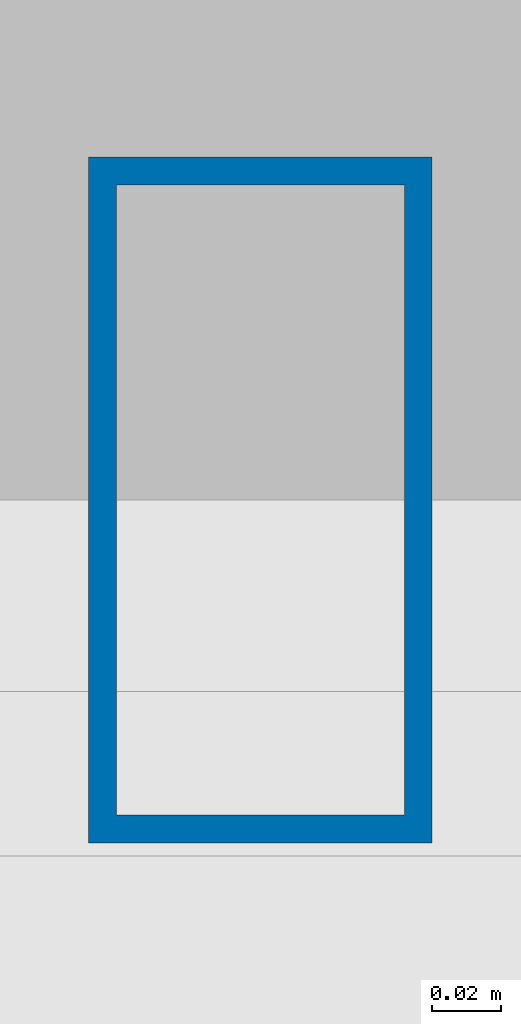
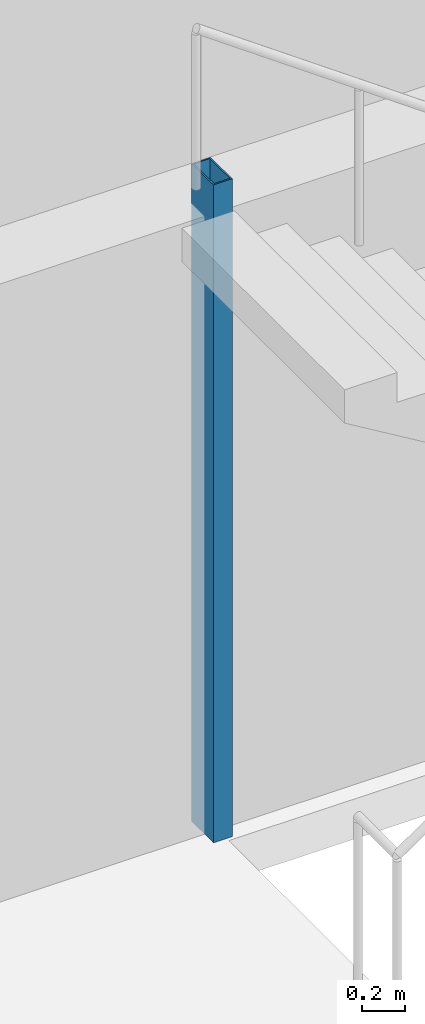
# One storey, part 2 of 17: 1 column.
"""IFC4 building model written with IfcOpenShell, lengths in metres."""

from ifc_helpers import new_model, si_unit, direction, frame, origin, origin_2d, place, context, subcontext, project, spatial, hollow_rectangle, extrude, material, material_profile, profile_set, type_object, element, save


model = new_model("IFC4")

# Units and contexts
model_context = context("Model", 3, precision=1e-05, world=origin(), true_north=direction((0.0, 1.0)))
body_context = subcontext(model_context, "Body", "Model", "MODEL_VIEW")
ifc_project = project(units=[si_unit("LENGTHUNIT", "METRE"), si_unit("AREAUNIT", "SQUARE_METRE"), si_unit("VOLUMEUNIT", "CUBIC_METRE"), si_unit("PLANEANGLEUNIT", "RADIAN"), si_unit("MASSUNIT", "GRAM", prefix="KILO")], contexts=[model_context])

# Site, building, storey
site_placement = place(None, origin())
site = spatial("IfcSite", under=ifc_project, at=site_placement, CompositionType="ELEMENT")
building_placement = place(site_placement, origin())
building = spatial("IfcBuilding", under=site, at=building_placement, Name="Menara Jurai Vektor", CompositionType="ELEMENT")
storey_placement = place(building_placement, frame((0.0, 0.0, 87.39990234375)))
storey = spatial("IfcBuildingStorey", under=building, at=storey_placement, Name="L21", CompositionType="ELEMENT", Elevation=87.39990234375)

# Column
ifc_material = material(Name="Steel S355", Category="steel")
ifc_material_profile = material_profile(ifc_material, hollow_rectangle(XDim=0.10009765625, YDim=0.199951171875, WallThickness=0.008056640625, at=origin_2d()), Name="RHS 200x100x8")
ifc_profile_set = profile_set([ifc_material_profile], Name="Steel S355")
column_type = type_object("IfcColumnType", Name="STR-COL-STAIR", PredefinedType="COLUMN", material=ifc_profile_set)
column_placement = place(storey_placement, frame((-11.1201171875, 5.419921875, 0.0), z_axis=(0.0, 0.0, 1.0), x_axis=(1.0, 0.0, 0.0)))
element("IfcColumn", 1, at=column_placement, inside=storey, type_object=column_type, Name="Stair Well Header Column ST1-P2 L21", PredefinedType="COLUMN", context=body_context, shape_type="SweptSolid", body=[
    extrude(hollow_rectangle(XDim=0.10009765625, YDim=0.199951171875, WallThickness=0.008056640625, at=origin_2d()), origin(), (0.0, 0.0, 1.0), 3.7001953125),
])

save(model, "model.ifc")
